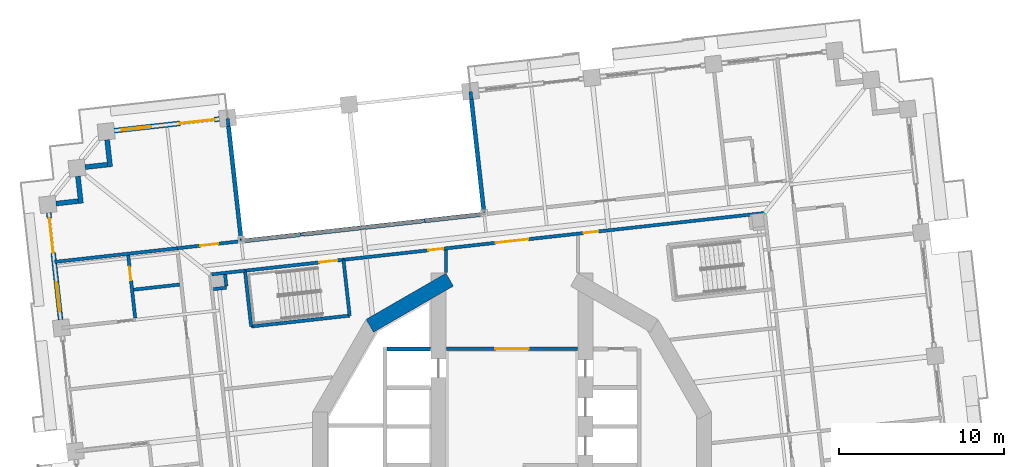
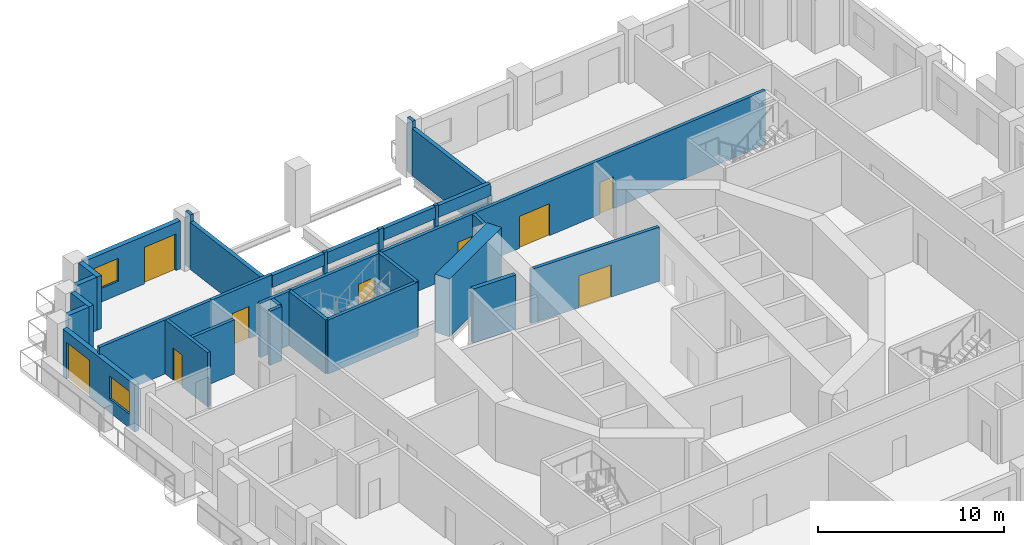
# One storey, part 11 of 21: 33 walls, 9 doors, 2 windows, 11 openings.
"""IFC4 building model written with IfcOpenShell, lengths in metres."""

from ifc_helpers import new_model, si_unit, direction, frame, frame_2d, origin, place, context, subcontext, project, spatial, rectangle, extrude, material, layer, layer_set, type_object, element, fill, save


model = new_model("IFC4")

# Units and contexts
model_context = context("Model", 3, precision=1e-05, world=origin(), true_north=direction((0.0, 1.0)))
body_context = subcontext(model_context, "Body", "Model", "MODEL_VIEW")
ifc_project = project(units=[si_unit("LENGTHUNIT", "METRE"), si_unit("AREAUNIT", "SQUARE_METRE"), si_unit("VOLUMEUNIT", "CUBIC_METRE"), si_unit("PLANEANGLEUNIT", "RADIAN"), si_unit("MASSUNIT", "GRAM", prefix="KILO")], contexts=[model_context])

# Site, building, storey
site_placement = place(None, origin())
site = spatial("IfcSite", under=ifc_project, at=site_placement, CompositionType="ELEMENT")
building_placement = place(site_placement, origin())
building = spatial("IfcBuilding", under=site, at=building_placement, Name="Cantera Rosa Tower", CompositionType="ELEMENT")
storey_placement = place(building_placement, frame((0.0, 0.0, 61.5)))
storey = spatial("IfcBuildingStorey", under=building, at=storey_placement, Name="L12", CompositionType="ELEMENT", Elevation=61.5)

# Walls
ifc_material_1 = material(Name="Gypsum board partition")
ifc_layer_1 = layer(ifc_material_1, 0.199951171875)
ifc_layer_set_1 = layer_set([ifc_layer_1], Name="CORRIDOR WALL 200 H3550")
wall_type_1 = type_object("IfcWallType", Name="CORRIDOR WALL 200 H3550", PredefinedType="PARTITIONING", material=ifc_layer_set_1)
wall_1_placement = place(storey_placement, frame((-16.172607421875, 11.787841796875, 0.0), z_axis=(0.0, 0.0, 1.0), x_axis=(-0.993905752705, -0.110233183482, 0.0)))
element("IfcWall", 1, at=wall_1_placement, inside=storey, type_object=wall_type_1, Name="CORRIDOR WALL L12-021", PredefinedType="PARTITIONING", context=body_context, shape_type="SweptSolid", body=[
    extrude(rectangle(XDim=2.026611328125, YDim=0.199951171875, at=frame_2d((1.01318359375, 0.0))), origin(), (0.0, 0.0, 1.0), 3.550048828125),
])
wall_2_placement = place(storey_placement, frame((-4.0, 13.038818359375, 0.0), z_axis=(0.0, 0.0, 1.0), x_axis=(0.0, -1.0, 0.0)))
element("IfcWall", 2, at=wall_2_placement, inside=storey, type_object=wall_type_1, Name="CORRIDOR WALL L12-051", PredefinedType="PARTITIONING", context=body_context, shape_type="SweptSolid", body=[
    extrude(rectangle(XDim=1.37158203125, YDim=0.199951171875, at=frame_2d((0.685791015625, 0.0))), origin(), (0.0, 0.0, 1.0), 3.550048828125),
])

# Wall, opening, door
wall_3_placement = place(storey_placement, frame((-3.969970703125, 7.050048828125, 0.0), z_axis=(0.0, 0.0, 1.0), x_axis=(1.0, 0.0, 0.0)))
wall_3 = element("IfcWall", 3, at=wall_3_placement, inside=storey, type_object=wall_type_1, Name="CORRIDOR WALL L12-052", PredefinedType="PARTITIONING", context=body_context, shape_type="SweptSolid", body=[
    extrude(rectangle(XDim=7.93994140625, YDim=0.199951171875, at=frame_2d((3.969970703125, 0.0))), origin(), (0.0, 0.0, 1.0), 3.550048828125),
])
opening_1_placement = place(wall_3_placement, frame((2.969970703125, 0.0, 0.0)))
opening_1 = element("IfcOpeningElement", 4, at=opening_1_placement, cuts=wall_3, Name="Opening L12-013", PredefinedType="OPENING", context=body_context, shape_type="SweptSolid", body=[
    extrude(rectangle(XDim=2.0, YDim=2.10009765625, at=frame_2d((1.0, 1.050048828125))), frame((0.0, 0.10986328125, 0.0), z_axis=(0.0, -1.0, 0.0), x_axis=(1.0, 0.0, 0.0)), (0.0, 0.0, 1.0), 0.219970703125),
])
ifc_material_2 = material(Name="Steel S355J2 (EN 10025-2)", Category="steel")
door_type_1 = type_object("IfcDoorType", Name="LOBBY SCREEN DOOR 2000x2100", OperationType="NOTDEFINED", PredefinedType="DOOR", material=ifc_material_2)
door_1_placement = place(opening_1_placement, origin())
door_1 = element("IfcDoor", 5, at=door_1_placement, inside=storey, type_object=door_type_1, Name="DOOR L12-013", OperationType="NOTDEFINED", OverallHeight=2.10009765625, OverallWidth=2.0, PredefinedType="DOOR", context=body_context, shape_type="SweptSolid", body=[
    extrude(rectangle(XDim=2.0, YDim=2.10009765625, at=frame_2d((1.0, 1.050048828125))), frame((0.0, 0.02490234375, 0.0), z_axis=(0.0, -1.0, 0.0), x_axis=(1.0, 0.0, 0.0)), (0.0, 0.0, 1.0), 0.050048828125),
])
fill(opening_1, door_1)

# Wall, openings, doors
wall_4_placement = place(storey_placement, frame((15.3076171875, 15.281982421875, 0.0), z_axis=(0.0, 0.0, 1.0), x_axis=(-0.993896137152, -0.110319846599, 0.0)))
wall_4 = element("IfcWall", 6, at=wall_4_placement, inside=storey, type_object=wall_type_1, Name="CORRIDOR WALL L12-084", PredefinedType="PARTITIONING", context=body_context, shape_type="SweptSolid", body=[
    extrude(rectangle(XDim=25.67333984375, YDim=0.199951171875, at=frame_2d((12.836669921875, 0.0))), origin(), (0.0, 0.0, 1.0), 3.550048828125),
])
opening_2_placement = place(wall_4_placement, frame((10.141357421875, 0.0, 0.0)))
opening_2 = element("IfcOpeningElement", 7, at=opening_2_placement, cuts=wall_4, Name="Opening L12-006", PredefinedType="OPENING", context=body_context, shape_type="SweptSolid", body=[
    extrude(rectangle(XDim=0.89990234375, YDim=2.10009765625, at=frame_2d((0.449951171875, 1.050048828125))), frame((0.0, 0.10986328125, 0.0), z_axis=(0.0, -1.0, 0.0), x_axis=(1.0, 0.0, 0.0)), (0.0, 0.0, 1.0), 0.219970703125),
])
opening_3_placement = place(wall_4_placement, frame((19.600830078125, 0.0, 0.0)))
opening_3 = element("IfcOpeningElement", 8, at=opening_3_placement, cuts=wall_4, Name="Opening L12-007", PredefinedType="OPENING", context=body_context, shape_type="SweptSolid", body=[
    extrude(rectangle(XDim=0.89990234375, YDim=2.10009765625, at=frame_2d((0.449951171875, 1.050048828125))), frame((0.0, 0.10986328125, 0.0), z_axis=(0.0, -1.0, 0.0), x_axis=(1.0, 0.0, 0.0)), (0.0, 0.0, 1.0), 0.219970703125),
])
opening_4_placement = place(wall_4_placement, frame((14.401611328125, 0.0, 0.0)))
opening_4 = element("IfcOpeningElement", 9, at=opening_4_placement, cuts=wall_4, Name="Opening L12-012", PredefinedType="OPENING", context=body_context, shape_type="SweptSolid", body=[
    extrude(rectangle(XDim=2.0, YDim=2.10009765625, at=frame_2d((1.0, 1.050048828125))), frame((0.0, 0.10986328125, 0.0), z_axis=(0.0, -1.0, 0.0), x_axis=(1.0, 0.0, 0.0)), (0.0, 0.0, 1.0), 0.219970703125),
])
door_2_placement = place(opening_4_placement, origin())
door_2 = element("IfcDoor", 10, at=door_2_placement, inside=storey, type_object=door_type_1, Name="DOOR L12-012", OperationType="NOTDEFINED", OverallHeight=2.10009765625, OverallWidth=2.0, PredefinedType="DOOR", context=body_context, shape_type="SweptSolid", body=[
    extrude(rectangle(XDim=2.0, YDim=2.10009765625, at=frame_2d((1.0, 1.050048828125))), frame((0.0, 0.02490234375, 0.0), z_axis=(0.0, -1.0, 0.0), x_axis=(1.0, 0.0, 0.0)), (0.0, 0.0, 1.0), 0.050048828125),
])
fill(opening_4, door_2)
ifc_material_3 = material(Name="Timber door leaf", Category="wood")
door_type_2 = type_object("IfcDoorType", Name="SERVICE DOOR 900x2100", OperationType="NOTDEFINED", PredefinedType="DOOR", material=ifc_material_3)
door_3_placement = place(opening_2_placement, origin())
door_3 = element("IfcDoor", 11, at=door_3_placement, inside=storey, type_object=door_type_2, Name="DOOR L12-006", OperationType="NOTDEFINED", OverallHeight=2.10009765625, OverallWidth=0.89990234375, PredefinedType="DOOR", context=body_context, shape_type="SweptSolid", body=[
    extrude(rectangle(XDim=0.89990234375, YDim=2.10009765625, at=frame_2d((0.449951171875, 1.050048828125))), frame((0.0, 0.02490234375, 0.0), z_axis=(0.0, -1.0, 0.0), x_axis=(1.0, 0.0, 0.0)), (0.0, 0.0, 1.0), 0.050048828125),
])
fill(opening_2, door_3)
door_4_placement = place(opening_3_placement, origin())
door_4 = element("IfcDoor", 12, at=door_4_placement, inside=storey, type_object=door_type_2, Name="DOOR L12-007", OperationType="NOTDEFINED", OverallHeight=2.10009765625, OverallWidth=0.89990234375, PredefinedType="DOOR", context=body_context, shape_type="SweptSolid", body=[
    extrude(rectangle(XDim=0.89990234375, YDim=2.10009765625, at=frame_2d((0.449951171875, 1.050048828125))), frame((0.0, 0.02490234375, 0.0), z_axis=(0.0, -1.0, 0.0), x_axis=(1.0, 0.0, 0.0)), (0.0, 0.0, 1.0), 0.050048828125),
])
fill(opening_3, door_4)

# Walls
wall_5_placement = place(storey_placement, frame((-5.2568359375, 14.810546875, 0.0), z_axis=(0.0, 0.0, 1.0), x_axis=(-0.993828957409, -0.110923412383, 0.0)))
element("IfcWall", 13, at=wall_5_placement, inside=storey, type_object=wall_type_1, Name="CORRIDOR WALL L12-093", PredefinedType="PARTITIONING", context=body_context, shape_type="SweptSolid", body=[
    extrude(rectangle(XDim=0.218017578125, YDim=0.199951171875, at=frame_2d((0.10888671875, 0.0))), origin(), (0.0, 0.0, 1.0), 3.550048828125),
])
wall_6_placement = place(storey_placement, frame((-8.89013671875, 14.4072265625, 0.0), z_axis=(0.0, 0.0, 1.0), x_axis=(-0.99387403451, -0.110518792638, 0.0)))
element("IfcWall", 14, at=wall_6_placement, inside=storey, type_object=wall_type_1, Name="CORRIDOR WALL L12-094", PredefinedType="PARTITIONING", context=body_context, shape_type="SweptSolid", body=[
    extrude(rectangle(XDim=0.30712890625, YDim=0.199951171875, at=frame_2d((0.153564453125, 0.0))), origin(), (0.0, 0.0, 1.0), 3.550048828125),
])
wall_7_placement = place(storey_placement, frame((-12.61181640625, 13.994140625, 0.0), z_axis=(0.0, 0.0, 1.0), x_axis=(-0.993951872299, -0.109816554098, 0.0)))
element("IfcWall", 15, at=wall_7_placement, inside=storey, type_object=wall_type_1, Name="CORRIDOR WALL L12-095", PredefinedType="PARTITIONING", context=body_context, shape_type="SweptSolid", body=[
    extrude(rectangle(XDim=0.2177734375, YDim=0.199951171875, at=frame_2d((0.10888671875, 0.0))), origin(), (0.0, 0.0, 1.0), 3.550048828125),
])

# Wall, opening, door
wall_8_placement = place(storey_placement, frame((-16.273193359375, 13.587890625, 0.0), z_axis=(0.0, 0.0, 1.0), x_axis=(-0.993894825106, -0.110331666476, 0.0)))
wall_8 = element("IfcWall", 16, at=wall_8_placement, inside=storey, type_object=wall_type_1, Name="CORRIDOR WALL L12-096", PredefinedType="PARTITIONING", context=body_context, shape_type="SweptSolid", body=[
    extrude(rectangle(XDim=4.025146484375, YDim=0.199951171875, at=frame_2d((2.0126953125, 0.0))), origin(), (0.0, 0.0, 1.0), 3.550048828125),
])
opening_5_placement = place(wall_8_placement, frame((1.52490234375, 0.0, 0.0)))
opening_5 = element("IfcOpeningElement", 17, at=opening_5_placement, cuts=wall_8, Name="Opening L12-028", PredefinedType="OPENING", context=body_context, shape_type="SweptSolid", body=[
    extrude(rectangle(XDim=1.10009765625, YDim=2.10009765625, at=frame_2d((0.550048828125, 1.050048828125))), frame((0.0, 0.10986328125, 0.0), z_axis=(0.0, -1.0, 0.0), x_axis=(1.0, 0.0, 0.0)), (0.0, 0.0, 1.0), 0.219970703125),
])
ifc_material_4 = material(Name="Timber door leaf", Category="wood")
door_type_3 = type_object("IfcDoorType", Name="ROOM DOOR 1100x2100", OperationType="NOTDEFINED", PredefinedType="DOOR", material=ifc_material_4)
door_5_placement = place(opening_5_placement, origin())
door_5 = element("IfcDoor", 18, at=door_5_placement, inside=storey, type_object=door_type_3, Name="DOOR L12-028", OperationType="NOTDEFINED", OverallHeight=2.10009765625, OverallWidth=1.10009765625, PredefinedType="DOOR", context=body_context, shape_type="SweptSolid", body=[
    extrude(rectangle(XDim=1.10009765625, YDim=2.10009765625, at=frame_2d((0.550048828125, 1.050048828125))), frame((0.0, 0.02490234375, 0.0), z_axis=(0.0, -1.0, 0.0), x_axis=(1.0, 0.0, 0.0)), (0.0, 0.0, 1.0), 0.050048828125),
])
fill(opening_5, door_5)

# Walls
ifc_material_5 = material(Name="Hollow clay masonry with cantera stone cladding", Category="masonry")
ifc_layer_2 = layer(ifc_material_5, 0.300048828125)
ifc_layer_set_2 = layer_set([ifc_layer_2], Name="EW-LOGGIA 300")
wall_type_2 = type_object("IfcWallType", Name="EW-LOGGIA 300", PredefinedType="SOLIDWALL", material=ifc_layer_set_2)
wall_9_placement = place(storey_placement, frame((-24.5244140625, 19.71484375, 0.0), z_axis=(0.0, 0.0, 1.0), x_axis=(0.110236638423, -0.993905369514, 0.0)))
element("IfcWall", 19, at=wall_9_placement, inside=storey, type_object=wall_type_2, Name="EN-L12-W14a", PredefinedType="SOLIDWALL", context=body_context, shape_type="SweptSolid", body=[
    extrude(rectangle(XDim=1.64990234375, YDim=0.300048828125, at=frame_2d((0.824951171875, 0.0))), origin(), (0.0, 0.0, 1.0), 3.5),
])
wall_10_placement = place(storey_placement, frame((-24.508056640625, 18.20751953125, 0.0), z_axis=(0.0, 0.0, 1.0), x_axis=(-0.993896959738, -0.110312435488, 0.0)))
element("IfcWall", 20, at=wall_10_placement, inside=storey, type_object=wall_type_2, Name="EN-L12-W14b", PredefinedType="SOLIDWALL", context=body_context, shape_type="SweptSolid", body=[
    extrude(rectangle(XDim=1.35009765625, YDim=0.300048828125, at=frame_2d((0.675048828125, 0.0))), origin(), (0.0, 0.0, 1.0), 3.5),
])
wall_11_placement = place(storey_placement, frame((-26.291748046875, 17.506591796875, 0.0), z_axis=(0.0, 0.0, 1.0), x_axis=(0.110382805355, -0.993889146878, 0.0)))
element("IfcWall", 21, at=wall_11_placement, inside=storey, type_object=wall_type_2, Name="EN-L12-W15a", PredefinedType="SOLIDWALL", context=body_context, shape_type="SweptSolid", body=[
    extrude(rectangle(XDim=1.64990234375, YDim=0.300048828125, at=frame_2d((0.824951171875, 0.0))), origin(), (0.0, 0.0, 1.0), 3.5),
])
wall_12_placement = place(storey_placement, frame((-26.275146484375, 15.999267578125, 0.0), z_axis=(0.0, 0.0, 1.0), x_axis=(-0.993896959738, -0.110312435488, 0.0)))
element("IfcWall", 22, at=wall_12_placement, inside=storey, type_object=wall_type_2, Name="EN-L12-W15b", PredefinedType="SOLIDWALL", context=body_context, shape_type="SweptSolid", body=[
    extrude(rectangle(XDim=1.35009765625, YDim=0.300048828125, at=frame_2d((0.675048828125, 0.0))), origin(), (0.0, 0.0, 1.0), 3.5),
])

# Wall, openings, window, door
ifc_material_6 = material(Name="Hollow clay masonry with cantera stone cladding", Category="masonry")
ifc_layer_3 = layer(ifc_material_6, 0.300048828125)
ifc_layer_set_3 = layer_set([ifc_layer_3], Name="EW-LOGGIA 300 H3090")
wall_type_3 = type_object("IfcWallType", Name="EW-LOGGIA 300 H3090", PredefinedType="SOLIDWALL", material=ifc_layer_set_3)
wall_13_placement = place(storey_placement, frame((-28.058837890625, 15.298095703125, 0.0), z_axis=(0.0, 0.0, 1.0), x_axis=(0.110312341265, -0.993896970196, 0.0)))
wall_13 = element("IfcWall", 23, at=wall_13_placement, inside=storey, type_object=wall_type_3, Name="EN-L12-W16", PredefinedType="SOLIDWALL", context=body_context, shape_type="SweptSolid", body=[
    extrude(rectangle(XDim=6.52001953125, YDim=0.300048828125, at=frame_2d((3.260009765625, 0.0))), origin(), (0.0, 0.0, 1.0), 3.090087890625),
])
opening_6_placement = place(wall_13_placement, frame((0.330078125, 0.0, 0.0)))
opening_6 = element("IfcOpeningElement", 24, at=opening_6_placement, cuts=wall_13, Name="Opening L12-TD19", PredefinedType="OPENING", context=body_context, shape_type="SweptSolid", body=[
    extrude(rectangle(XDim=2.10009765625, YDim=2.39990234375, at=frame_2d((1.050048828125, 1.199951171875))), frame((0.0, 0.159912109375, 0.0), z_axis=(0.0, -1.0, 0.0), x_axis=(1.0, 0.0, 0.0)), (0.0, 0.0, 1.0), 0.320068359375),
])
opening_7_placement = place(wall_13_placement, frame((4.239990234375, 0.0, 0.89990234375)))
opening_7 = element("IfcOpeningElement", 25, at=opening_7_placement, cuts=wall_13, Name="Opening L12-W20", PredefinedType="OPENING", context=body_context, shape_type="SweptSolid", body=[
    extrude(rectangle(XDim=1.800048828125, YDim=1.5, at=frame_2d((0.89990234375, 0.75))), frame((0.0, 0.159912109375, 0.0), z_axis=(0.0, -1.0, 0.0), x_axis=(1.0, 0.0, 0.0)), (0.0, 0.0, 1.0), 0.320068359375),
])
ifc_material_7 = material(Name="Aluminium frame with clear glass", Category="aluminium")
window_type = type_object("IfcWindowType", Name="Hotel room window 1800x1500", PartitioningType="DOUBLE_PANEL_VERTICAL", PredefinedType="WINDOW", material=ifc_material_7)
window_1_placement = place(opening_7_placement, origin())
window_1 = element("IfcWindow", 26, at=window_1_placement, inside=storey, type_object=window_type, Name="WINDOW L12-W20", OverallHeight=1.5, OverallWidth=1.800048828125, PartitioningType="SINGLE_PANEL", PredefinedType="WINDOW", context=body_context, shape_type="SweptSolid", body=[
    extrude(rectangle(XDim=1.800048828125, YDim=1.5, at=frame_2d((0.89990234375, 0.75))), frame((0.0, 0.030029296875, 0.0), z_axis=(0.0, -1.0, 0.0), x_axis=(1.0, 0.0, 0.0)), (0.0, 0.0, 1.0), 0.06005859375),
])
fill(opening_7, window_1)
ifc_material_8 = material(Name="Aluminium frame with clear glass", Category="aluminium")
door_type_4 = type_object("IfcDoorType", Name="TD-H 2100x2400", OperationType="NOTDEFINED", PredefinedType="DOOR", material=ifc_material_8)
door_6_placement = place(opening_6_placement, origin())
door_6 = element("IfcDoor", 27, at=door_6_placement, inside=storey, type_object=door_type_4, Name="LOGGIA DOOR L12-TD19", OperationType="SLIDING_TO_LEFT", OverallHeight=2.39990234375, OverallWidth=2.10009765625, PredefinedType="DOOR", context=body_context, shape_type="SweptSolid", body=[
    extrude(rectangle(XDim=2.10009765625, YDim=2.39990234375, at=frame_2d((1.050048828125, 1.199951171875))), frame((0.0, 0.02490234375, 0.0), z_axis=(0.0, -1.0, 0.0), x_axis=(1.0, 0.0, 0.0)), (0.0, 0.0, 1.0), 0.050048828125),
])
fill(opening_6, door_6)

ifc_material_9 = material(Name="Hollow clay masonry with cantera stone cladding", Category="masonry")
ifc_layer_4 = layer(ifc_material_9, 0.300048828125)
ifc_layer_set_4 = layer_set([ifc_layer_4], Name="EW-LOGGIA 300 H3140")
wall_type_4 = type_object("IfcWallType", Name="EW-LOGGIA 300 H3140", PredefinedType="SOLIDWALL", material=ifc_layer_set_4)
wall_14_placement = place(storey_placement, frame((-17.7216796875, 20.97314453125, 0.0), z_axis=(0.0, 0.0, 1.0), x_axis=(-0.993896288542, -0.110318482689, 0.0)))
wall_14 = element("IfcWall", 28, at=wall_14_placement, inside=storey, type_object=wall_type_4, Name="EN-L12-W13", PredefinedType="SOLIDWALL", context=body_context, shape_type="SweptSolid", body=[
    extrude(rectangle(XDim=6.400146484375, YDim=0.300048828125, at=frame_2d((3.2001953125, 0.0))), origin(), (0.0, 0.0, 1.0), 3.139892578125),
])
opening_8_placement = place(wall_14_placement, frame((0.300048828125, 0.0, 0.0)))
opening_8 = element("IfcOpeningElement", 29, at=opening_8_placement, cuts=wall_14, Name="Opening L12-TD17", PredefinedType="OPENING", context=body_context, shape_type="SweptSolid", body=[
    extrude(rectangle(XDim=2.10009765625, YDim=2.39990234375, at=frame_2d((1.050048828125, 1.199951171875))), frame((0.0, 0.159912109375, 0.0), z_axis=(0.0, -1.0, 0.0), x_axis=(1.0, 0.0, 0.0)), (0.0, 0.0, 1.0), 0.320068359375),
])
opening_9_placement = place(wall_14_placement, frame((4.14990234375, 0.0, 0.89990234375)))
opening_9 = element("IfcOpeningElement", 30, at=opening_9_placement, cuts=wall_14, Name="Opening L12-W18", PredefinedType="OPENING", context=body_context, shape_type="SweptSolid", body=[
    extrude(rectangle(XDim=1.800048828125, YDim=1.5, at=frame_2d((0.89990234375, 0.75))), frame((0.0, 0.159912109375, 0.0), z_axis=(0.0, -1.0, 0.0), x_axis=(1.0, 0.0, 0.0)), (0.0, 0.0, 1.0), 0.320068359375),
])
window_2_placement = place(opening_9_placement, origin())
window_2 = element("IfcWindow", 31, at=window_2_placement, inside=storey, type_object=window_type, Name="WINDOW L12-W18", OverallHeight=1.5, OverallWidth=1.800048828125, PartitioningType="SINGLE_PANEL", PredefinedType="WINDOW", context=body_context, shape_type="SweptSolid", body=[
    extrude(rectangle(XDim=1.800048828125, YDim=1.5, at=frame_2d((0.89990234375, 0.75))), frame((0.0, 0.030029296875, 0.0), z_axis=(0.0, -1.0, 0.0), x_axis=(1.0, 0.0, 0.0)), (0.0, 0.0, 1.0), 0.06005859375),
])
fill(opening_9, window_2)
door_7_placement = place(opening_8_placement, origin())
door_7 = element("IfcDoor", 32, at=door_7_placement, inside=storey, type_object=door_type_4, Name="LOGGIA DOOR L12-TD17", OperationType="SLIDING_TO_LEFT", OverallHeight=2.39990234375, OverallWidth=2.10009765625, PredefinedType="DOOR", context=body_context, shape_type="SweptSolid", body=[
    extrude(rectangle(XDim=2.10009765625, YDim=2.39990234375, at=frame_2d((1.050048828125, 1.199951171875))), frame((0.0, 0.02490234375, 0.0), z_axis=(0.0, -1.0, 0.0), x_axis=(1.0, 0.0, 0.0)), (0.0, 0.0, 1.0), 0.050048828125),
])
fill(opening_8, door_7)

# Walls
ifc_material_10 = material(Name="Concrete C40/50", Category="concrete")
ifc_layer_5 = layer(ifc_material_10, 0.25)
ifc_layer_set_5 = layer_set([ifc_layer_5], Name="EW-POCKET CHEEK 250 H3090")
wall_type_5 = type_object("IfcWallType", Name="EW-POCKET CHEEK 250 H3090", PredefinedType="SOLIDWALL", material=ifc_layer_set_5)
for number, where, z_axis, x_axis, name in (
    (33, (-2.4599609375, 22.163818359375, 0.0), (0.0, 0.0, 1.0), (0.110322788799, -0.993895810572, 0.0), "POCKET CHEEK A L12"),
    (34, (-17.169677734375, 20.53125, 0.0), (0.0, 0.0, 1.0), (0.110322788799, -0.993895810572, 0.0), "POCKET CHEEK B L12"),
):
    element("IfcWall", number, at=place(storey_placement, frame(where, z_axis=z_axis, x_axis=x_axis)), inside=storey, type_object=wall_type_5, Name=name, PredefinedType="SOLIDWALL", context=body_context, shape_type="SweptSolid", body=[
        extrude(rectangle(XDim=6.900146484375, YDim=0.25, at=frame_2d((3.4501953125, 0.0))), origin(), (0.0, 0.0, 1.0), 3.090087890625),
    ])
ifc_material_11 = material(Name="Hollow clay masonry with cantera stone cladding", Category="masonry")
ifc_layer_6 = layer(ifc_material_11, 0.25)
ifc_layer_set_6 = layer_set([ifc_layer_6], Name="EW-POCKET REAR 250")
wall_type_6 = type_object("IfcWallType", Name="EW-POCKET REAR 250", PredefinedType="SOLIDWALL", material=ifc_layer_set_6)
wall_15_placement = place(storey_placement, frame((-1.81201171875, 15.19287109375, 2.716064453125), z_axis=(0.0, 0.0, 1.0), x_axis=(-0.993897471215, -0.110307827068, 0.0)))
element("IfcWall", 35, at=wall_15_placement, inside=storey, type_object=wall_type_6, Name="POCKET SPANDREL L12-1", PredefinedType="SOLIDWALL", context=body_context, shape_type="SweptSolid", body=[
    extrude(rectangle(XDim=3.466064453125, YDim=0.25, at=frame_2d((1.73291015625, 0.0))), origin(), (0.0, 0.0, 1.0), 0.783935546875),
])
wall_16_placement = place(storey_placement, frame((-5.4736328125, 14.786376953125, 2.716064453125), z_axis=(0.0, 0.0, 1.0), x_axis=(-0.993898450158, -0.110299006224, 0.0)))
element("IfcWall", 36, at=wall_16_placement, inside=storey, type_object=wall_type_6, Name="POCKET SPANDREL L12-2", PredefinedType="SOLIDWALL", context=body_context, shape_type="SweptSolid", body=[
    extrude(rectangle(XDim=3.4375, YDim=0.25, at=frame_2d((1.71875, 0.0))), origin(), (0.0, 0.0, 1.0), 0.783935546875),
])
wall_17_placement = place(storey_placement, frame((-9.195068359375, 14.373291015625, 2.716064453125), z_axis=(0.0, 0.0, 1.0), x_axis=(-0.993899314125, -0.110291220781, 0.0)))
element("IfcWall", 37, at=wall_17_placement, inside=storey, type_object=wall_type_6, Name="POCKET SPANDREL L12-3", PredefinedType="SOLIDWALL", context=body_context, shape_type="SweptSolid", body=[
    extrude(rectangle(XDim=3.437744140625, YDim=0.25, at=frame_2d((1.71875, 0.0))), origin(), (0.0, 0.0, 1.0), 0.783935546875),
])
wall_18_placement = place(storey_placement, frame((-12.828369140625, 13.97021484375, 2.716064453125), z_axis=(0.0, 0.0, 1.0), x_axis=(-0.993897471215, -0.110307827068, 0.0)))
element("IfcWall", 38, at=wall_18_placement, inside=storey, type_object=wall_type_6, Name="POCKET SPANDREL L12-4", PredefinedType="SOLIDWALL", context=body_context, shape_type="SweptSolid", body=[
    extrude(rectangle(XDim=3.466064453125, YDim=0.25, at=frame_2d((1.73291015625, 0.0))), origin(), (0.0, 0.0, 1.0), 0.783935546875),
])

# Wall, opening, door
ifc_material_12 = material(Name="Gypsum board partition")
ifc_layer_7 = layer(ifc_material_12, 0.199951171875)
ifc_layer_set_7 = layer_set([ifc_layer_7], Name="PARTITION 200 H3550")
wall_type_7 = type_object("IfcWallType", Name="PARTITION 200 H3550", PredefinedType="PARTITIONING", material=ifc_layer_set_7)
wall_19_placement = place(storey_placement, frame((-23.244384765625, 12.71337890625, 0.0), z_axis=(0.0, 0.0, 1.0), x_axis=(0.110312274665, -0.993896977588, 0.0)))
wall_19 = element("IfcWall", 39, at=wall_19_placement, inside=storey, type_object=wall_type_7, Name="PARTITION L12-002", PredefinedType="PARTITIONING", context=body_context, shape_type="SweptSolid", body=[
    extrude(rectangle(XDim=3.81982421875, YDim=0.199951171875, at=frame_2d((1.909912109375, 0.0))), origin(), (0.0, 0.0, 1.0), 3.550048828125),
])
opening_10_placement = place(wall_19_placement, frame((0.7099609375, 0.0, 0.0)))
opening_10 = element("IfcOpeningElement", 40, at=opening_10_placement, cuts=wall_19, Name="Opening L12-031", PredefinedType="OPENING", context=body_context, shape_type="SweptSolid", body=[
    extrude(rectangle(XDim=0.800048828125, YDim=2.10009765625, at=frame_2d((0.39990234375, 1.050048828125))), frame((0.0, 0.10986328125, 0.0), z_axis=(0.0, -1.0, 0.0), x_axis=(1.0, 0.0, 0.0)), (0.0, 0.0, 1.0), 0.219970703125),
])
ifc_material_13 = material(Name="Timber door leaf", Category="wood")
door_type_5 = type_object("IfcDoorType", Name="BATHROOM DOOR 800x2100", OperationType="NOTDEFINED", PredefinedType="DOOR", material=ifc_material_13)
door_8_placement = place(opening_10_placement, origin())
door_8 = element("IfcDoor", 41, at=door_8_placement, inside=storey, type_object=door_type_5, Name="DOOR L12-031", OperationType="NOTDEFINED", OverallHeight=2.10009765625, OverallWidth=0.800048828125, PredefinedType="DOOR", context=body_context, shape_type="SweptSolid", body=[
    extrude(rectangle(XDim=0.800048828125, YDim=2.10009765625, at=frame_2d((0.39990234375, 1.050048828125))), frame((0.0, 0.02490234375, 0.0), z_axis=(0.0, -1.0, 0.0), x_axis=(1.0, 0.0, 0.0)), (0.0, 0.0, 1.0), 0.050048828125),
])
fill(opening_10, door_8)

# Walls
wall_20_placement = place(storey_placement, frame((-20.13037109375, 10.9462890625, 0.0), z_axis=(0.0, 0.0, 1.0), x_axis=(-0.99388905004, -0.110383677283, 0.0)))
element("IfcWall", 42, at=wall_20_placement, inside=storey, type_object=wall_type_7, Name="PARTITION L12-010", PredefinedType="PARTITIONING", context=body_context, shape_type="SweptSolid", body=[
    extrude(rectangle(XDim=2.800048828125, YDim=0.199951171875, at=frame_2d((1.39990234375, 0.0))), origin(), (0.0, 0.0, 1.0), 3.550048828125),
])
wall_21_placement = place(storey_placement, frame((-18.08740234375, 10.669921875, 0.0), z_axis=(0.0, 0.0, 1.0), x_axis=(0.993913470482, 0.110163574714, 0.0)))
element("IfcWall", 43, at=wall_21_placement, inside=storey, type_object=wall_type_7, Name="PARTITION L12-015", PredefinedType="PARTITIONING", context=body_context, shape_type="SweptSolid", body=[
    extrude(rectangle(XDim=0.800048828125, YDim=0.199951171875, at=frame_2d((0.39990234375, 0.0))), origin(), (0.0, 0.0, 1.0), 3.550048828125),
])
wall_22_placement = place(storey_placement, frame((-17.30322265625, 10.857421875, 0.0), z_axis=(0.0, 0.0, 1.0), x_axis=(-0.110546349969, 0.993870969748, 0.0)))
element("IfcWall", 44, at=wall_22_placement, inside=storey, type_object=wall_type_7, Name="PARTITION L12-017", PredefinedType="PARTITIONING", context=body_context, shape_type="SweptSolid", body=[
    extrude(rectangle(XDim=0.7001953125, YDim=0.199951171875, at=frame_2d((0.35009765625, 0.0))), origin(), (0.0, 0.0, 1.0), 3.550048828125),
])
wall_23_placement = place(storey_placement, frame((-17.221435546875, 20.998291015625, 0.0), z_axis=(0.0, 0.0, 1.0), x_axis=(0.110146397974, -0.993915374171, 0.0)))
element("IfcWall", 45, at=wall_23_placement, inside=storey, type_object=wall_type_7, Name="PARTITION L12-018", PredefinedType="PARTITIONING", context=body_context, shape_type="SweptSolid", body=[
    extrude(rectangle(XDim=0.469970703125, YDim=0.199951171875, at=frame_2d((0.23486328125, 0.0))), origin(), (0.0, 0.0, 1.0), 3.550048828125),
])
wall_24_placement = place(storey_placement, frame((-2.4599609375, 22.163818359375, 0.0), z_axis=(0.0, 0.0, 1.0), x_axis=(-0.110089547864, 0.993921672694, 0.0)))
element("IfcWall", 46, at=wall_24_placement, inside=storey, type_object=wall_type_7, Name="PARTITION L12-053", PredefinedType="PARTITIONING", context=body_context, shape_type="SweptSolid", body=[
    extrude(rectangle(XDim=0.47021484375, YDim=0.199951171875, at=frame_2d((0.235107421875, 0.0))), origin(), (0.0, 0.0, 1.0), 3.550048828125),
])
ifc_material_14 = material(Name="Gypsum board partition")
ifc_layer_8 = layer(ifc_material_14, 0.199951171875)
ifc_layer_set_8 = layer_set([ifc_layer_8], Name="PARTY WALL 200 H3550")
wall_type_8 = type_object("IfcWallType", Name="PARTY WALL 200 H3550", PredefinedType="PARTITIONING", material=ifc_layer_set_8)
wall_25_placement = place(storey_placement, frame((-20.273681640625, 13.143798828125, 0.0), z_axis=(0.0, 0.0, 1.0), x_axis=(-0.993894093242, -0.110338259085, 0.0)))
element("IfcWall", 47, at=wall_25_placement, inside=storey, type_object=wall_type_8, Name="PARTY WALL L12-007", PredefinedType="PARTITIONING", context=body_context, shape_type="SweptSolid", body=[
    extrude(rectangle(XDim=7.469970703125, YDim=0.199951171875, at=frame_2d((3.73486328125, 0.0))), origin(), (0.0, 0.0, 1.0), 3.550048828125),
])
ifc_material_15 = material(Name="Concrete C70/85", Category="concrete")
ifc_layer_9 = layer(ifc_material_15, 0.89990234375)
ifc_layer_set_9 = layer_set([ifc_layer_9], Name="RC CORE WALL 900 C70/85")
wall_type_9 = type_object("IfcWallType", Name="RC CORE WALL 900 C70/85", PredefinedType="SHEAR", material=ifc_layer_set_9)
wall_26_placement = place(storey_placement, frame((-8.61376953125, 8.44921875, 0.0), z_axis=(0.0, 0.0, 1.0), x_axis=(0.866026961591, 0.49999730179, 0.0)))
element("IfcWall", 48, at=wall_26_placement, inside=storey, type_object=wall_type_9, Name="CW-W5 L12", PredefinedType="SHEAR", context=body_context, shape_type="SweptSolid", body=[
    extrude(rectangle(XDim=5.58740234375, YDim=0.89990234375, at=frame_2d((2.793701171875, 0.0))), origin(), (0.0, 0.0, 1.0), 3.800048828125),
])
ifc_material_16 = material(Name="Masonry blockwork", Category="masonry")
ifc_layer_10 = layer(ifc_material_16, 0.25)
ifc_layer_set_10 = layer_set([ifc_layer_10], Name="SHAFT WALL 250 H3550")
wall_type_10 = type_object("IfcWallType", Name="SHAFT WALL 250 H3550", PredefinedType="SOLIDWALL", material=ifc_layer_set_10)
wall_27_placement = place(storey_placement, frame((-4.929931640625, 7.050048828125, 0.0), z_axis=(0.0, 0.0, 1.0), x_axis=(-1.0, 0.0, 0.0)))
element("IfcWall", 49, at=wall_27_placement, inside=storey, type_object=wall_type_10, Name="SHAFT WALL L12-048", PredefinedType="SOLIDWALL", context=body_context, shape_type="SweptSolid", body=[
    extrude(rectangle(XDim=2.650146484375, YDim=0.25, at=frame_2d((1.3251953125, 0.0))), origin(), (0.0, 0.0, 1.0), 3.550048828125),
])
ifc_material_17 = material(Name="Concrete C50/60", Category="concrete")
ifc_layer_11 = layer(ifc_material_17, 0.199951171875)
ifc_layer_set_11 = layer_set([ifc_layer_11], Name="STAIR WALL 200 H3550")
wall_type_11 = type_object("IfcWallType", Name="STAIR WALL 200 H3550", PredefinedType="SOLIDWALL", material=ifc_layer_set_11)
wall_28_placement = place(storey_placement, frame((-16.172607421875, 11.787841796875, 0.0), z_axis=(0.0, 0.0, 1.0), x_axis=(0.110368557057, -0.993890729212, 0.0)))
element("IfcWall", 50, at=wall_28_placement, inside=storey, type_object=wall_type_11, Name="STAIR WALL L12-022", PredefinedType="SOLIDWALL", context=body_context, shape_type="SweptSolid", body=[
    extrude(rectangle(XDim=3.404296875, YDim=0.199951171875, at=frame_2d((1.7021484375, 0.0))), origin(), (0.0, 0.0, 1.0), 3.550048828125),
])
wall_29_placement = place(storey_placement, frame((-15.796875, 8.404296875, 0.0), z_axis=(0.0, 0.0, 1.0), x_axis=(0.993897125329, 0.110310943534, 0.0)))
element("IfcWall", 51, at=wall_29_placement, inside=storey, type_object=wall_type_11, Name="STAIR WALL L12-024", PredefinedType="SOLIDWALL", context=body_context, shape_type="SweptSolid", body=[
    extrude(rectangle(XDim=6.0, YDim=0.199951171875, at=frame_2d((3.0, 0.0))), origin(), (0.0, 0.0, 1.0), 3.550048828125),
])

# Wall, opening, door
wall_30_placement = place(storey_placement, frame((-10.208984375, 12.44970703125, 0.0), z_axis=(0.0, 0.0, 1.0), x_axis=(-0.993897620437, -0.11030648254, 0.0)))
wall_30 = element("IfcWall", 52, at=wall_30_placement, inside=storey, type_object=wall_type_11, Name="STAIR WALL L12-033", PredefinedType="SOLIDWALL", context=body_context, shape_type="SweptSolid", body=[
    extrude(rectangle(XDim=6.000244140625, YDim=0.199951171875, at=frame_2d((3.0, 0.0))), origin(), (0.0, 0.0, 1.0), 3.550048828125),
])
opening_11_placement = place(wall_30_placement, frame((0.375, 0.0, 0.0)))
opening_11 = element("IfcOpeningElement", 53, at=opening_11_placement, cuts=wall_30, Name="Opening L12-002", PredefinedType="OPENING", context=body_context, shape_type="SweptSolid", body=[
    extrude(rectangle(XDim=1.10009765625, YDim=2.10009765625, at=frame_2d((0.550048828125, 1.050048828125))), frame((0.0, 0.10986328125, 0.0), z_axis=(0.0, -1.0, 0.0), x_axis=(1.0, 0.0, 0.0)), (0.0, 0.0, 1.0), 0.219970703125),
])
ifc_material_18 = material(Name="Steel S355J2 (EN 10025-2)", Category="steel")
door_type_6 = type_object("IfcDoorType", Name="STAIR DOOR 1100x2100", OperationType="NOTDEFINED", PredefinedType="DOOR", material=ifc_material_18)
door_9_placement = place(opening_11_placement, origin())
door_9 = element("IfcDoor", 54, at=door_9_placement, inside=storey, type_object=door_type_6, Name="DOOR L12-002", OperationType="NOTDEFINED", OverallHeight=2.10009765625, OverallWidth=1.10009765625, PredefinedType="DOOR", context=body_context, shape_type="SweptSolid", body=[
    extrude(rectangle(XDim=1.10009765625, YDim=2.10009765625, at=frame_2d((0.550048828125, 1.050048828125))), frame((0.0, 0.02490234375, 0.0), z_axis=(0.0, -1.0, 0.0), x_axis=(1.0, 0.0, 0.0)), (0.0, 0.0, 1.0), 0.050048828125),
])
fill(opening_11, door_9)

# Wall
wall_31_placement = place(storey_placement, frame((-9.83349609375, 9.066162109375, 0.0), z_axis=(0.0, 0.0, 1.0), x_axis=(-0.110297715324, 0.993898593416, 0.0)))
element("IfcWall", 55, at=wall_31_placement, inside=storey, type_object=wall_type_11, Name="STAIR WALL L12-034", PredefinedType="SOLIDWALL", context=body_context, shape_type="SweptSolid", body=[
    extrude(rectangle(XDim=3.404296875, YDim=0.199951171875, at=frame_2d((1.7021484375, 0.0))), origin(), (0.0, 0.0, 1.0), 3.550048828125),
])

save(model, "model.ifc")
